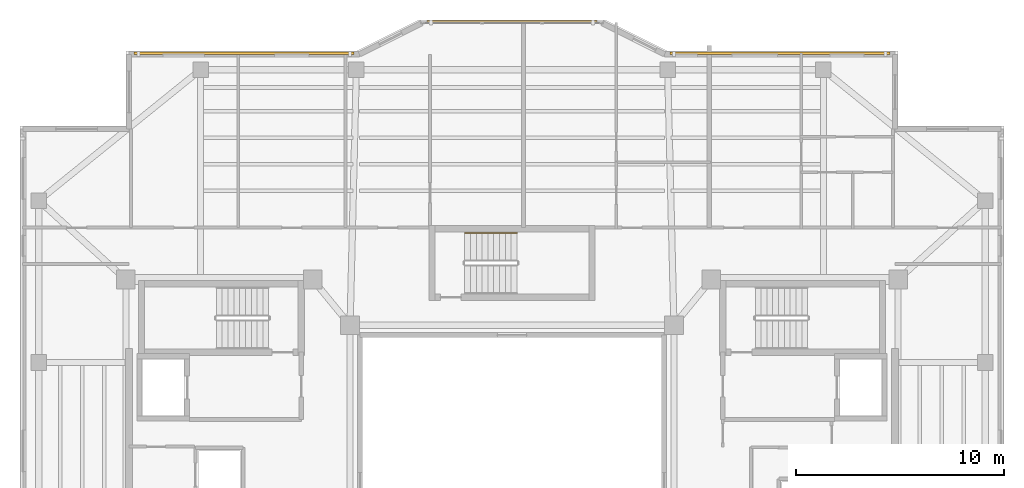
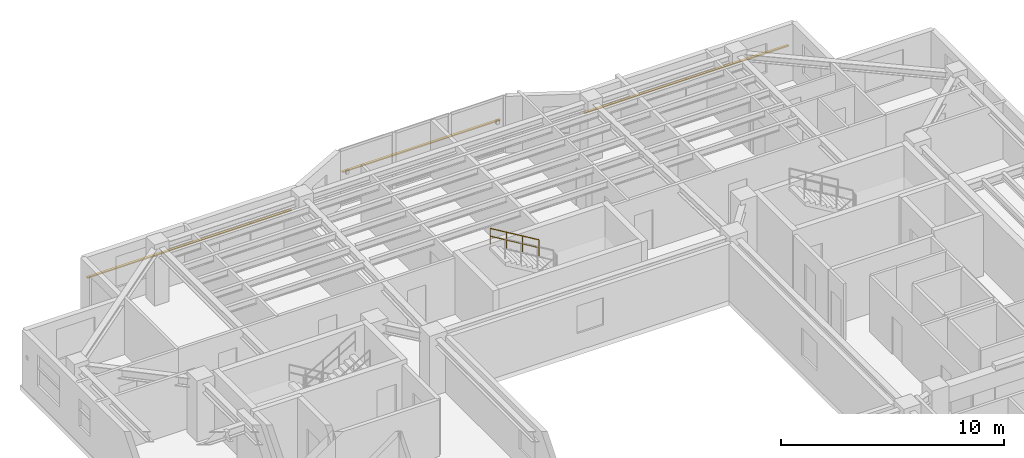
# One storey, part 11 of 11: 3 shading devices, 1 railing.
"""IFC4 building model written with IfcOpenShell, lengths in metres."""

from ifc_helpers import new_model, si_unit, direction, frame, origin, origin_2d, place, context, subcontext, project, spatial, rectangle, circle, extrude, material, material_profile, profile_set, type_object, element, save


model = new_model("IFC4")

# Units and contexts
model_context = context("Model", 3, precision=1e-05, world=origin(), true_north=direction((0.0, 1.0)))
body_context = subcontext(model_context, "Body", "Model", "MODEL_VIEW")
ifc_project = project(units=[si_unit("LENGTHUNIT", "METRE"), si_unit("AREAUNIT", "SQUARE_METRE"), si_unit("VOLUMEUNIT", "CUBIC_METRE"), si_unit("PLANEANGLEUNIT", "RADIAN"), si_unit("MASSUNIT", "GRAM", prefix="KILO")], contexts=[model_context])

# Site, building, storey
site_placement = place(None, origin())
site = spatial("IfcSite", under=ifc_project, at=site_placement, CompositionType="ELEMENT")
building_placement = place(site_placement, origin())
building = spatial("IfcBuilding", under=site, at=building_placement, Name="Tarnavaz Court Tower", CompositionType="ELEMENT")
storey_placement = place(building_placement, frame((0.0, 0.0, 217.050048828125)))
storey = spatial("IfcBuildingStorey", under=building, at=storey_placement, Name="L59", CompositionType="ELEMENT", Elevation=217.050048828125)

# Railing
ifc_material_1 = material(Name="Brushed Stainless Steel", Category="steel")
railing_type = type_object("IfcRailingType", Name="RL-HANDRAIL-900", PredefinedType="HANDRAIL", material=ifc_material_1)
railing_placement = place(storey_placement, frame((0.239990234375, 12.239990234375, 1.842529296875)))
element("IfcRailing", 1, at=railing_placement, inside=storey, type_object=railing_type, Name="L59 ST-N1 stair handrail 2", PredefinedType="HANDRAIL", context=body_context, shape_type="SweptSolid", body=[
    extrude(circle(Radius=0.02392578125, at=origin_2d()), frame((0.0, 0.0, 0.8759765625), z_axis=(-0.858196387827, 0.0, 0.513321497621), x_axis=(0.0, -1.0, 0.0)), (0.0, 0.0, 1.0), 2.9365234375),
    extrude(circle(Radius=0.02392578125, at=origin_2d()), frame((0.0, 0.0, 0.449951171875), z_axis=(-0.858196387827, 0.0, 0.513321497621), x_axis=(0.0, -1.0, 0.0)), (0.0, 0.0, 1.0), 2.9365234375),
    extrude(circle(Radius=0.02099609375, at=origin_2d()), origin(), (0.0, 0.0, 1.0), 0.851806640625),
    extrude(circle(Radius=0.02099609375, at=origin_2d()), frame((-0.840087890625, 0.0, 0.50244140625)), (0.0, 0.0, 1.0), 0.851806640625),
    extrude(circle(Radius=0.02099609375, at=origin_2d()), frame((-1.679931640625, 0.0, 1.0048828125)), (0.0, 0.0, 1.0), 0.851806640625),
    extrude(circle(Radius=0.02099609375, at=origin_2d()), frame((-2.52001953125, 0.0, 1.50732421875)), (0.0, 0.0, 1.0), 0.851806640625),
])

# Shading devices
ifc_material_2 = material(Name="Kiln-Fired Khorasan Terracotta Ceramic", Category="masonry")
ifc_material_profile = material_profile(ifc_material_2, rectangle(XDim=0.1201171875, YDim=0.06005859375, at=origin_2d()), Name="TC BAGUETTE 120X60")
ifc_profile_set = profile_set([ifc_material_profile], Name="Kiln-Fired Khorasan Terracotta Ceramic")
shading_device_type = type_object("IfcShadingDeviceType", Name="SD-BAG-120", PredefinedType="USERDEFINED", material=ifc_profile_set)
shading_device_1_placement = place(storey_placement, frame((-18.199951171875, 20.909912109375, 1.849853515625), z_axis=(1.0, 0.0, 0.0), x_axis=(0.0, 1.0, 0.0)))
element("IfcShadingDevice", 2, at=shading_device_1_placement, inside=storey, type_object=shading_device_type, Name="L59 Terracotta Baguette Screen FBG05", ObjectType="BAGUETTE", PredefinedType="USERDEFINED", context=body_context, shape_type="SweptSolid", body=[
    extrude(rectangle(XDim=0.1201171875, YDim=0.06005859375, at=origin_2d()), origin(), (0.0, 0.0, 1.0), 10.599853515625),
])
shading_device_2_placement = place(storey_placement, frame((-4.10009765625, 22.409912109375, 1.800048828125), z_axis=(1.0, 0.0, 0.0), x_axis=(0.0, 1.0, 0.0)))
element("IfcShadingDevice", 3, at=shading_device_2_placement, inside=storey, type_object=shading_device_type, Name="L59 Terracotta Baguette Screen PBG7", ObjectType="BAGUETTE", PredefinedType="USERDEFINED", context=body_context, shape_type="SweptSolid", body=[
    extrude(rectangle(XDim=0.1201171875, YDim=0.06005859375, at=origin_2d()), origin(), (0.0, 0.0, 1.0), 8.2001953125),
])
shading_device_3_placement = place(storey_placement, frame((7.60009765625, 20.909912109375, 1.849853515625), z_axis=(1.0, 0.0, 0.0), x_axis=(0.0, 1.0, 0.0)))
element("IfcShadingDevice", 4, at=shading_device_3_placement, inside=storey, type_object=shading_device_type, Name="L59 Terracotta Baguette Screen FBG09", ObjectType="BAGUETTE", PredefinedType="USERDEFINED", context=body_context, shape_type="SweptSolid", body=[
    extrude(rectangle(XDim=0.1201171875, YDim=0.06005859375, at=origin_2d()), origin(), (0.0, 0.0, 1.0), 10.599853515625),
])

save(model, "model.ifc")
